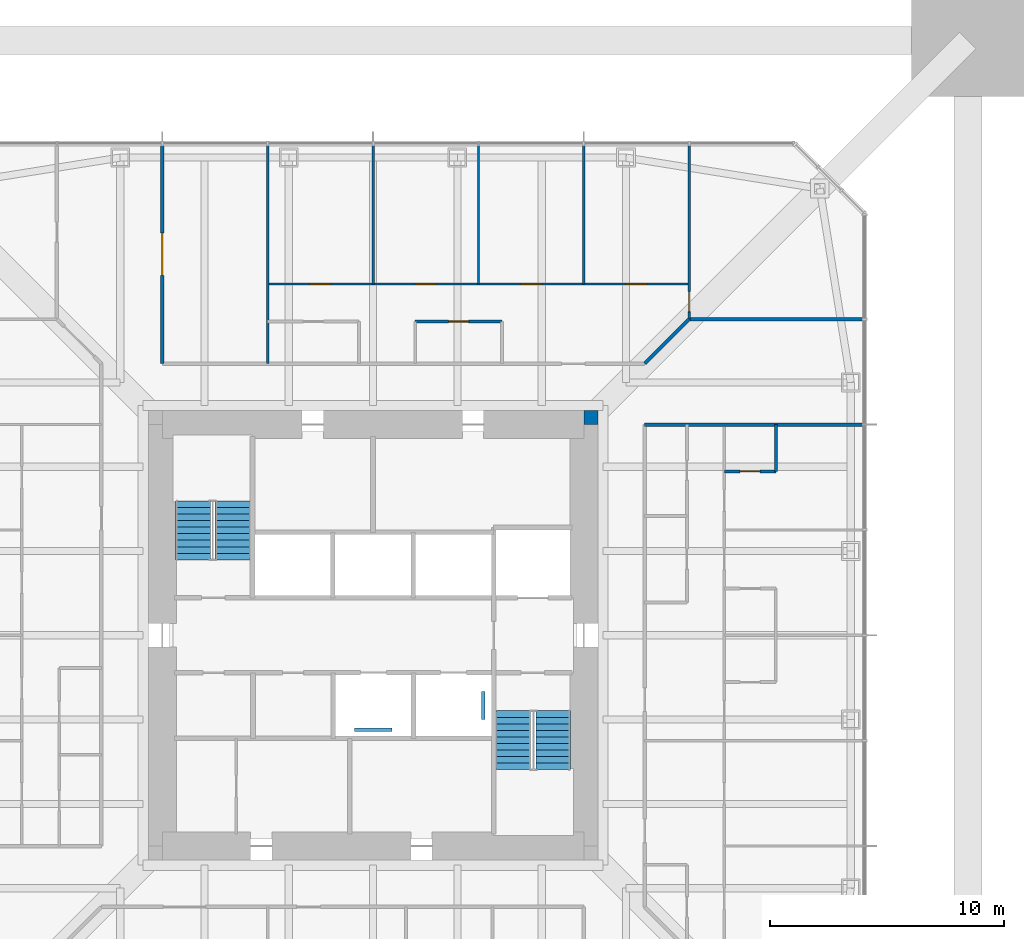
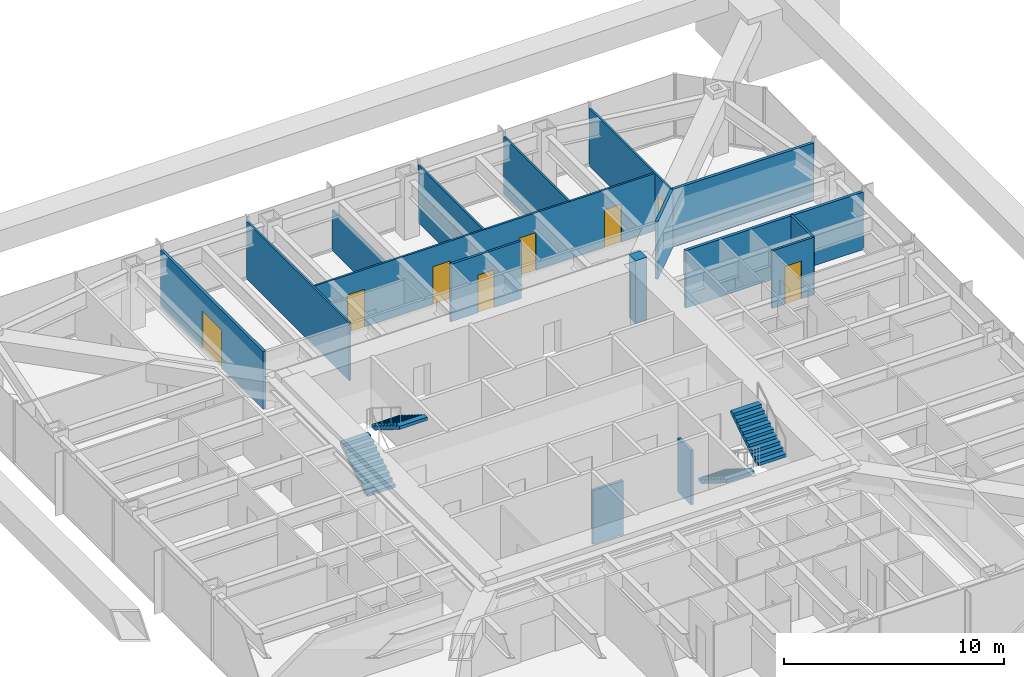
# One storey, part 16 of 20: 14 walls, 8 doors, 4 stair flights, 2 discrete accessories, 8 openings, 2 elements without a shape of their own.
"""IFC4 building model written with IfcOpenShell, lengths in metres."""

from ifc_helpers import new_model, si_unit, direction, frame, frame_2d, origin, origin_2d, place, context, subcontext, project, spatial, polyline, rectangle, outline, extrude, material, layer, layer_set, constituent, constituent_set, type_object, element, fill, aggregate, save


model = new_model("IFC4")

# Units and contexts
model_context = context("Model", 3, precision=1e-05, world=origin(), true_north=direction((0.0, 1.0)))
body_context = subcontext(model_context, "Body", "Model", "MODEL_VIEW")
ifc_project = project(units=[si_unit("LENGTHUNIT", "METRE"), si_unit("AREAUNIT", "SQUARE_METRE"), si_unit("VOLUMEUNIT", "CUBIC_METRE"), si_unit("PLANEANGLEUNIT", "RADIAN"), si_unit("MASSUNIT", "GRAM", prefix="KILO")], contexts=[model_context])

# Site, building, storey
site_placement = place(None, origin())
site = spatial("IfcSite", under=ifc_project, at=site_placement, CompositionType="ELEMENT")
building_placement = place(site_placement, origin())
building = spatial("IfcBuilding", under=site, at=building_placement, Name="Iwan Alto Co-Living Towers", CompositionType="ELEMENT")
storey_placement = place(building_placement, frame((0.0, 0.0, 140.0)))
storey = spatial("IfcBuildingStorey", under=building, at=storey_placement, Name="L38", CompositionType="ELEMENT", Elevation=140.0)

# Walls
ifc_material_1 = material(Name="Gypsum board")
ifc_layer_1 = layer(ifc_material_1, 0.02490234375, Name="Board", Category="Finish")
ifc_material_2 = material(Name="Steel ASTM A1003 ST33H cold-formed studs", Category="steel")
ifc_layer_2 = layer(ifc_material_2, 0.10009765625, Name="Studs", Category="Framing")
ifc_layer_3 = layer(ifc_material_1, 0.02490234375, Name="Board", Category="Finish")
ifc_layer_set_1 = layer_set([ifc_layer_1, ifc_layer_2, ifc_layer_3], Name="CORRIDOR WALL 150")
wall_type_1 = type_object("IfcWallType", Name="CORRIDOR WALL 150", PredefinedType="PARTITIONING", material=ifc_layer_set_1)
wall_1_placement = place(storey_placement, frame((11.60009765625, 9.0, 0.0), z_axis=(0.0, 0.0, 1.0), x_axis=(1.0, 0.0, 0.0)))
element("IfcWall", 1, at=wall_1_placement, inside=storey, type_object=wall_type_1, Name="Partition L38", PredefinedType="PARTITIONING", context=body_context, shape_type="SweptSolid", body=[
    extrude(rectangle(XDim=9.33984375, YDim=0.14990234375, at=frame_2d((4.669921875, 0.0))), origin(), (0.0, 0.0, 1.0), 3.199951171875),
])
wall_2_placement = place(storey_placement, frame((13.5, 13.5, 0.0), z_axis=(0.0, 0.0, 1.0), x_axis=(1.0, 0.0, 0.0)))
element("IfcWall", 2, at=wall_2_placement, inside=storey, type_object=wall_type_1, Name="Partition L38", PredefinedType="PARTITIONING", context=body_context, shape_type="SweptSolid", body=[
    extrude(rectangle(XDim=7.43994140625, YDim=0.14990234375, at=frame_2d((3.719970703125, 0.0))), origin(), (0.0, 0.0, 1.0), 3.199951171875),
])
wall_3_placement = place(storey_placement, frame((11.60009765625, 11.60009765625, 0.0), z_axis=(0.0, 0.0, 1.0), x_axis=(0.707106781187, 0.707106781187, 0.0)))
element("IfcWall", 3, at=wall_3_placement, inside=storey, type_object=wall_type_1, Name="Partition L38", PredefinedType="PARTITIONING", context=body_context, shape_type="SweptSolid", body=[
    extrude(rectangle(XDim=2.686767578125, YDim=0.14990234375, at=frame_2d((1.34326171875, 0.0))), origin(), (0.0, 0.0, 1.0), 3.199951171875),
])

# Wall, opening, door
wall_4_placement = place(storey_placement, frame((-9.0, 11.60009765625, 0.0), z_axis=(0.0, 0.0, 1.0), x_axis=(0.0, 1.0, 0.0)))
wall_4 = element("IfcWall", 4, at=wall_4_placement, inside=storey, type_object=wall_type_1, Name="Partition L38", PredefinedType="PARTITIONING", context=body_context, shape_type="SweptSolid", body=[
    extrude(rectangle(XDim=9.33984375, YDim=0.14990234375, at=frame_2d((4.669921875, 0.0))), origin(), (0.0, 0.0, 1.0), 3.199951171875),
])
opening_1_placement = place(wall_4_placement, frame((3.77001953125, 0.0, 0.0)))
opening_1 = element("IfcOpeningElement", 5, at=opening_1_placement, cuts=wall_4, Name="Opening D9", PredefinedType="OPENING", context=body_context, shape_type="SweptSolid", body=[
    extrude(rectangle(XDim=1.800048828125, YDim=2.10009765625, at=frame_2d((0.89990234375, 1.050048828125))), frame((0.0, 0.0849609375, 0.0), z_axis=(0.0, -1.0, 0.0), x_axis=(1.0, 0.0, 0.0)), (0.0, 0.0, 1.0), 0.169921875),
])
ifc_material_3 = material(Name="Steel frame with timber leaf", Category="steel")
door_type_1 = type_object("IfcDoorType", Name="LOUNGE DOOR FD30S 1800X2100", OperationType="DOUBLE_DOOR_SINGLE_SWING", PredefinedType="DOOR", material=ifc_material_3)
door_1_placement = place(opening_1_placement, frame((1.800048828125, 0.0, 0.0), z_axis=(0.0, 0.0, 1.0), x_axis=(-1.0, 0.0, 0.0)))
door_1 = element("IfcDoor", 6, at=door_1_placement, inside=storey, type_object=door_type_1, Name="Reading room door L38", OperationType="DOUBLE_DOOR_SINGLE_SWING", OverallHeight=2.10009765625, OverallWidth=1.800048828125, PredefinedType="DOOR", context=body_context, shape_type="SweptSolid", body=[
    extrude(rectangle(XDim=1.800048828125, YDim=2.10009765625, at=frame_2d((0.89990234375, 1.050048828125))), frame((0.0, 0.02490234375, 0.0), z_axis=(0.0, -1.0, 0.0), x_axis=(1.0, 0.0, 0.0)), (0.0, 0.0, 1.0), 0.050048828125),
])
fill(opening_1, door_1)

# Wall, openings, doors
ifc_layer_4 = layer(ifc_material_1, 0.012451171875, Name="Board", Category="Finish")
ifc_layer_5 = layer(ifc_material_2, 0.074951171875, Name="Studs", Category="Framing")
ifc_layer_6 = layer(ifc_material_1, 0.012451171875, Name="Board", Category="Finish")
ifc_layer_set_2 = layer_set([ifc_layer_4, ifc_layer_5, ifc_layer_6], Name="PARTITION 100")
wall_type_2 = type_object("IfcWallType", Name="PARTITION 100", PredefinedType="PARTITIONING", material=ifc_layer_set_2)
wall_5_placement = place(storey_placement, frame((-4.5, 15.0, 0.0), z_axis=(0.0, 0.0, 1.0), x_axis=(1.0, 0.0, 0.0)))
wall_5 = element("IfcWall", 7, at=wall_5_placement, inside=storey, type_object=wall_type_2, Name="Partition L38", PredefinedType="PARTITIONING", context=body_context, shape_type="SweptSolid", body=[
    extrude(rectangle(XDim=18.0, YDim=0.10009765625, at=frame_2d((9.0, 0.0))), origin(), (0.0, 0.0, 1.0), 3.199951171875),
])
opening_2_placement = place(wall_5_placement, frame((15.300048828125, 0.0, 0.0)))
opening_2 = element("IfcOpeningElement", 8, at=opening_2_placement, cuts=wall_5, Name="Opening D1", PredefinedType="OPENING", context=body_context, shape_type="SweptSolid", body=[
    extrude(rectangle(XDim=0.89990234375, YDim=2.10009765625, at=frame_2d((0.449951171875, 1.050048828125))), frame((0.0, 0.06005859375, 0.0), z_axis=(0.0, -1.0, 0.0), x_axis=(1.0, 0.0, 0.0)), (0.0, 0.0, 1.0), 0.1201171875),
])
opening_3_placement = place(wall_5_placement, frame((10.800048828125, 0.0, 0.0)))
opening_3 = element("IfcOpeningElement", 9, at=opening_3_placement, cuts=wall_5, Name="Opening D1", PredefinedType="OPENING", context=body_context, shape_type="SweptSolid", body=[
    extrude(rectangle(XDim=0.89990234375, YDim=2.10009765625, at=frame_2d((0.449951171875, 1.050048828125))), frame((0.0, 0.06005859375, 0.0), z_axis=(0.0, -1.0, 0.0), x_axis=(1.0, 0.0, 0.0)), (0.0, 0.0, 1.0), 0.1201171875),
])
opening_4_placement = place(wall_5_placement, frame((6.300048828125, 0.0, 0.0)))
opening_4 = element("IfcOpeningElement", 10, at=opening_4_placement, cuts=wall_5, Name="Opening D1", PredefinedType="OPENING", context=body_context, shape_type="SweptSolid", body=[
    extrude(rectangle(XDim=0.89990234375, YDim=2.10009765625, at=frame_2d((0.449951171875, 1.050048828125))), frame((0.0, 0.06005859375, 0.0), z_axis=(0.0, -1.0, 0.0), x_axis=(1.0, 0.0, 0.0)), (0.0, 0.0, 1.0), 0.1201171875),
])
opening_5_placement = place(wall_5_placement, frame((1.800048828125, 0.0, 0.0)))
opening_5 = element("IfcOpeningElement", 11, at=opening_5_placement, cuts=wall_5, Name="Opening D1", PredefinedType="OPENING", context=body_context, shape_type="SweptSolid", body=[
    extrude(rectangle(XDim=0.89990234375, YDim=2.10009765625, at=frame_2d((0.449951171875, 1.050048828125))), frame((0.0, 0.06005859375, 0.0), z_axis=(0.0, -1.0, 0.0), x_axis=(1.0, 0.0, 0.0)), (0.0, 0.0, 1.0), 0.1201171875),
])
ifc_material_4 = material(Name="Timber leaf in steel frame", Category="steel")
door_type_2 = type_object("IfcDoorType", Name="BEDROOM DOOR 900X2100", OperationType="SINGLE_SWING_LEFT", PredefinedType="DOOR", material=ifc_material_4)
door_2_placement = place(opening_2_placement, frame((0.89990234375, 0.0, 0.0), z_axis=(0.0, 0.0, 1.0), x_axis=(-1.0, 0.0, 0.0)))
door_2 = element("IfcDoor", 12, at=door_2_placement, inside=storey, type_object=door_type_2, Name="Study bedroom door L38", OperationType="SINGLE_SWING_LEFT", OverallHeight=2.10009765625, OverallWidth=0.89990234375, PredefinedType="DOOR", context=body_context, shape_type="SweptSolid", body=[
    extrude(rectangle(XDim=0.89990234375, YDim=2.10009765625, at=frame_2d((0.449951171875, 1.050048828125))), frame((0.0, 0.02490234375, 0.0), z_axis=(0.0, -1.0, 0.0), x_axis=(1.0, 0.0, 0.0)), (0.0, 0.0, 1.0), 0.050048828125),
])
fill(opening_2, door_2)
door_3_placement = place(opening_3_placement, frame((0.89990234375, 0.0, 0.0), z_axis=(0.0, 0.0, 1.0), x_axis=(-1.0, 0.0, 0.0)))
door_3 = element("IfcDoor", 13, at=door_3_placement, inside=storey, type_object=door_type_2, Name="Study bedroom door L38", OperationType="SINGLE_SWING_LEFT", OverallHeight=2.10009765625, OverallWidth=0.89990234375, PredefinedType="DOOR", context=body_context, shape_type="SweptSolid", body=[
    extrude(rectangle(XDim=0.89990234375, YDim=2.10009765625, at=frame_2d((0.449951171875, 1.050048828125))), frame((0.0, 0.02490234375, 0.0), z_axis=(0.0, -1.0, 0.0), x_axis=(1.0, 0.0, 0.0)), (0.0, 0.0, 1.0), 0.050048828125),
])
fill(opening_3, door_3)
door_4_placement = place(opening_4_placement, frame((0.89990234375, 0.0, 0.0), z_axis=(0.0, 0.0, 1.0), x_axis=(-1.0, 0.0, 0.0)))
door_4 = element("IfcDoor", 14, at=door_4_placement, inside=storey, type_object=door_type_2, Name="Study bedroom door L38", OperationType="SINGLE_SWING_RIGHT", OverallHeight=2.10009765625, OverallWidth=0.89990234375, PredefinedType="DOOR", context=body_context, shape_type="SweptSolid", body=[
    extrude(rectangle(XDim=0.89990234375, YDim=2.10009765625, at=frame_2d((0.449951171875, 1.050048828125))), frame((0.0, 0.02490234375, 0.0), z_axis=(0.0, -1.0, 0.0), x_axis=(1.0, 0.0, 0.0)), (0.0, 0.0, 1.0), 0.050048828125),
])
fill(opening_4, door_4)
door_5_placement = place(opening_5_placement, frame((0.89990234375, 0.0, 0.0), z_axis=(0.0, 0.0, 1.0), x_axis=(-1.0, 0.0, 0.0)))
door_5 = element("IfcDoor", 15, at=door_5_placement, inside=storey, type_object=door_type_2, Name="Study bedroom door L38", OperationType="SINGLE_SWING_RIGHT", OverallHeight=2.10009765625, OverallWidth=0.89990234375, PredefinedType="DOOR", context=body_context, shape_type="SweptSolid", body=[
    extrude(rectangle(XDim=0.89990234375, YDim=2.10009765625, at=frame_2d((0.449951171875, 1.050048828125))), frame((0.0, 0.02490234375, 0.0), z_axis=(0.0, -1.0, 0.0), x_axis=(1.0, 0.0, 0.0)), (0.0, 0.0, 1.0), 0.050048828125),
])
fill(opening_5, door_5)

# Wall, opening, door
wall_6_placement = place(storey_placement, frame((13.5, 13.5, 0.0), z_axis=(0.0, 0.0, 1.0), x_axis=(0.0, 1.0, 0.0)))
wall_6 = element("IfcWall", 16, at=wall_6_placement, inside=storey, type_object=wall_type_2, Name="Partition L38", PredefinedType="PARTITIONING", context=body_context, shape_type="SweptSolid", body=[
    extrude(rectangle(XDim=7.43994140625, YDim=0.10009765625, at=frame_2d((3.719970703125, 0.0))), origin(), (0.0, 0.0, 1.0), 3.199951171875),
])
opening_6_placement = place(wall_6_placement, frame((0.324951171875, 0.0, 0.0)))
opening_6 = element("IfcOpeningElement", 17, at=opening_6_placement, cuts=wall_6, Name="Opening D2", PredefinedType="OPENING", context=body_context, shape_type="SweptSolid", body=[
    extrude(rectangle(XDim=0.85009765625, YDim=2.10009765625, at=frame_2d((0.425048828125, 1.050048828125))), frame((0.0, 0.06005859375, 0.0), z_axis=(0.0, -1.0, 0.0), x_axis=(1.0, 0.0, 0.0)), (0.0, 0.0, 1.0), 0.1201171875),
])
ifc_material_5 = material(Name="Timber leaf in steel frame", Category="steel")
door_type_3 = type_object("IfcDoorType", Name="ROOM DOOR 850X2100", OperationType="SINGLE_SWING_LEFT", PredefinedType="DOOR", material=ifc_material_5)
door_6_placement = place(opening_6_placement, frame((0.85009765625, 0.0, 0.0), z_axis=(0.0, 0.0, 1.0), x_axis=(-1.0, 0.0, 0.0)))
door_6 = element("IfcDoor", 18, at=door_6_placement, inside=storey, type_object=door_type_3, Name="Shared kitchen and lounge door L38", OperationType="SINGLE_SWING_RIGHT", OverallHeight=2.10009765625, OverallWidth=0.85009765625, PredefinedType="DOOR", context=body_context, shape_type="SweptSolid", body=[
    extrude(rectangle(XDim=0.85009765625, YDim=2.10009765625, at=frame_2d((0.425048828125, 1.050048828125))), frame((0.0, 0.02490234375, 0.0), z_axis=(0.0, -1.0, 0.0), x_axis=(1.0, 0.0, 0.0)), (0.0, 0.0, 1.0), 0.050048828125),
])
fill(opening_6, door_6)

# Walls
for number, where, z_axis, x_axis, name in (
    (19, (9.0, 15.0, 0.0), (0.0, 0.0, 1.0), (0.0, 1.0, 0.0), "Partition L38"),
    (20, (4.5, 15.0, 0.0), (0.0, 0.0, 1.0), (0.0, 1.0, 0.0), "Partition L38"),
):
    element("IfcWall", number, at=place(storey_placement, frame(where, z_axis=z_axis, x_axis=x_axis)), inside=storey, type_object=wall_type_2, Name=name, PredefinedType="PARTITIONING", context=body_context, shape_type="SweptSolid", body=[
        extrude(rectangle(XDim=5.93994140625, YDim=0.10009765625, at=frame_2d((2.969970703125, 0.0))), origin(), (0.0, 0.0, 1.0), 3.199951171875),
    ])
wall_7_placement = place(storey_placement, frame((0.0, 15.0, 0.0), z_axis=(0.0, 0.0, 1.0), x_axis=(0.0, 1.0, 0.0)))
element("IfcWall", 21, at=wall_7_placement, inside=storey, type_object=wall_type_2, Name="Partition L38", PredefinedType="PARTITIONING", context=body_context, shape_type="SweptSolid", body=[
    extrude(rectangle(XDim=5.93994140625, YDim=0.10009765625, at=frame_2d((2.969970703125, 0.0))), origin(), (0.0, 0.0, 1.0), 2.27294921875),
])
wall_8_placement = place(storey_placement, frame((-4.5, 11.60009765625, 0.0), z_axis=(0.0, 0.0, 1.0), x_axis=(0.0, 1.0, 0.0)))
element("IfcWall", 22, at=wall_8_placement, inside=storey, type_object=wall_type_2, Name="Partition L38", PredefinedType="PARTITIONING", context=body_context, shape_type="SweptSolid", body=[
    extrude(rectangle(XDim=9.33984375, YDim=0.10009765625, at=frame_2d((4.669921875, 0.0))), origin(), (0.0, 0.0, 1.0), 3.199951171875),
])
ifc_material_6 = material(Name="Concrete f'c 70 MPa", Category="concrete")
ifc_layer_7 = layer(ifc_material_6, 0.60009765625)
ifc_layer_set_3 = layer_set([ifc_layer_7], Name="T1 CORE CORNER FILL 600")
wall_type_3 = type_object("IfcWallType", Name="T1 CORE CORNER FILL 600", PredefinedType="SOLIDWALL", material=ifc_layer_set_3)
wall_9_placement = place(storey_placement, frame((9.0, 9.300048828125, 0.0), z_axis=(0.0, 0.0, 1.0), x_axis=(1.0, 0.0, 0.0)))
element("IfcWall", 23, at=wall_9_placement, inside=storey, type_object=wall_type_3, Name="T1 core corner NE L38", PredefinedType="SOLIDWALL", context=body_context, shape_type="SweptSolid", body=[
    extrude(rectangle(XDim=0.60009765625, YDim=0.60009765625, at=frame_2d((0.300048828125, 0.0))), origin(), (0.0, 0.0, 1.0), 3.5),
])

# Wall, opening, door
ifc_material_7 = material(Name="Cement board")
ifc_layer_8 = layer(ifc_material_7, 0.012451171875, Name="Board", Category="Finish")
ifc_layer_9 = layer(ifc_material_2, 0.094970703125, Name="Studs", Category="Framing")
ifc_layer_10 = layer(ifc_material_7, 0.012451171875, Name="Board", Category="Finish")
ifc_layer_set_4 = layer_set([ifc_layer_8, ifc_layer_9, ifc_layer_10], Name="WET AREA PARTITION 120")
wall_type_4 = type_object("IfcWallType", Name="WET AREA PARTITION 120", PredefinedType="PARTITIONING", material=ifc_layer_set_4)
wall_10_placement = place(storey_placement, frame((15.0, 7.0, 0.0), z_axis=(0.0, 0.0, 1.0), x_axis=(1.0, 0.0, 0.0)))
wall_10 = element("IfcWall", 24, at=wall_10_placement, inside=storey, type_object=wall_type_4, Name="Partition L38", PredefinedType="PARTITIONING", context=body_context, shape_type="SweptSolid", body=[
    extrude(rectangle(XDim=2.199951171875, YDim=0.1201171875, at=frame_2d((1.10009765625, 0.0))), origin(), (0.0, 0.0, 1.0), 3.199951171875),
])
opening_7_placement = place(wall_10_placement, frame((0.675048828125, 0.0, 0.0)))
opening_7 = element("IfcOpeningElement", 25, at=opening_7_placement, cuts=wall_10, Name="Opening D2", PredefinedType="OPENING", context=body_context, shape_type="SweptSolid", body=[
    extrude(rectangle(XDim=0.85009765625, YDim=2.10009765625, at=frame_2d((0.425048828125, 1.050048828125))), frame((0.0, 0.070068359375, 0.0), z_axis=(0.0, -1.0, 0.0), x_axis=(1.0, 0.0, 0.0)), (0.0, 0.0, 1.0), 0.14013671875),
])
door_7_placement = place(opening_7_placement, frame((0.85009765625, 0.0, 0.0), z_axis=(0.0, 0.0, 1.0), x_axis=(-1.0, 0.0, 0.0)))
door_7 = element("IfcDoor", 26, at=door_7_placement, inside=storey, type_object=door_type_3, Name="En-suite shower room door L38", OperationType="SINGLE_SWING_RIGHT", OverallHeight=2.10009765625, OverallWidth=0.85009765625, PredefinedType="DOOR", context=body_context, shape_type="SweptSolid", body=[
    extrude(rectangle(XDim=0.85009765625, YDim=2.10009765625, at=frame_2d((0.425048828125, 1.050048828125))), frame((0.0, 0.02490234375, 0.0), z_axis=(0.0, -1.0, 0.0), x_axis=(1.0, 0.0, 0.0)), (0.0, 0.0, 1.0), 0.050048828125),
])
fill(opening_7, door_7)

wall_11_placement = place(storey_placement, frame((1.800048828125, 13.39990234375, 0.0), z_axis=(0.0, 0.0, 1.0), x_axis=(1.0, 0.0, 0.0)))
wall_11 = element("IfcWall", 27, at=wall_11_placement, inside=storey, type_object=wall_type_4, Name="Partition L38", PredefinedType="PARTITIONING", context=body_context, shape_type="SweptSolid", body=[
    extrude(rectangle(XDim=3.699951171875, YDim=0.1201171875, at=frame_2d((1.85009765625, 0.0))), origin(), (0.0, 0.0, 1.0), 3.199951171875),
])
opening_8_placement = place(wall_11_placement, frame((1.425048828125, 0.0, 0.0)))
opening_8 = element("IfcOpeningElement", 28, at=opening_8_placement, cuts=wall_11, Name="Opening D2", PredefinedType="OPENING", context=body_context, shape_type="SweptSolid", body=[
    extrude(rectangle(XDim=0.85009765625, YDim=2.10009765625, at=frame_2d((0.425048828125, 1.050048828125))), frame((0.0, 0.070068359375, 0.0), z_axis=(0.0, -1.0, 0.0), x_axis=(1.0, 0.0, 0.0)), (0.0, 0.0, 1.0), 0.14013671875),
])
door_8_placement = place(opening_8_placement, origin())
door_8 = element("IfcDoor", 29, at=door_8_placement, inside=storey, type_object=door_type_3, Name="Accessible bathroom door L38", OperationType="SINGLE_SWING_LEFT", OverallHeight=2.10009765625, OverallWidth=0.85009765625, PredefinedType="DOOR", context=body_context, shape_type="SweptSolid", body=[
    extrude(rectangle(XDim=0.85009765625, YDim=2.10009765625, at=frame_2d((0.425048828125, 1.050048828125))), frame((0.0, 0.02490234375, 0.0), z_axis=(0.0, -1.0, 0.0), x_axis=(1.0, 0.0, 0.0)), (0.0, 0.0, 1.0), 0.050048828125),
])
fill(opening_8, door_8)

# Wall
wall_12_placement = place(storey_placement, frame((17.199951171875, 7.0, 0.0), z_axis=(0.0, 0.0, 1.0), x_axis=(0.0, 1.0, 0.0)))
element("IfcWall", 30, at=wall_12_placement, inside=storey, type_object=wall_type_4, Name="Partition L38", PredefinedType="PARTITIONING", context=body_context, shape_type="SweptSolid", body=[
    extrude(rectangle(XDim=2.0, YDim=0.1201171875, at=frame_2d((1.0, 0.0))), origin(), (0.0, 0.0, 1.0), 3.199951171875),
])

# Stair, stair flights
ifc_material_8 = material(Name="Steel ASTM A36", Category="steel")
ifc_constituent_1 = constituent(ifc_material_8, Name="Stringers", Category="LoadBearing")
ifc_material_9 = material(Name="Concrete f'c 30 MPa", Category="concrete")
ifc_constituent_2 = constituent(ifc_material_9, Name="Tread fill", Category="Finish")
ifc_constituent_set_1 = constituent_set(constituents=[ifc_constituent_1, ifc_constituent_2], Name="STAIR 3500 TWO-FLIGHT T1 CORE")
stair_type = type_object("IfcStairType", Name="STAIR 3500 TWO-FLIGHT T1 CORE", PredefinedType="HALF_TURN_STAIR", material=ifc_constituent_set_1)
stair_1_placement = place(storey_placement, origin())
stair_1 = element("IfcStair", 31, at=stair_1_placement, inside=storey, type_object=stair_type, Name="Stair T1-S1 L38 to L39", PredefinedType="HALF_TURN_STAIR")
ifc_constituent_3 = constituent(ifc_material_8, Name="Stringers", Category="LoadBearing")
ifc_constituent_4 = constituent(ifc_material_9, Name="Tread fill", Category="Finish")
ifc_constituent_set_2 = constituent_set(constituents=[ifc_constituent_3, ifc_constituent_4], Name="STAIR FLIGHT 10 RISERS 280 GOING")
stair_flight_type = type_object("IfcStairFlightType", Name="STAIR FLIGHT 10 RISERS 280 GOING", PredefinedType="STRAIGHT", material=ifc_constituent_set_2)
stair_flight_1_placement = place(storey_placement, frame((-7.68994140625, 3.219970703125, 0.0), z_axis=(0.0, 0.0, 1.0), x_axis=(0.0, 1.0, 0.0)))
stair_flight_1 = element("IfcStairFlight", 32, at=stair_flight_1_placement, type_object=stair_flight_type, Name="T1-S1 flight 1", NumberOfRisers=10, NumberOfTreads=9, PredefinedType="STRAIGHT", RiserHeight=0.175, TreadLength=0.28, context=body_context, shape_type="SweptSolid", body=[
    extrude(outline(polyline([(0.0, 0.0), (0.0, 0.175048828125), (0.280029296875, 0.175048828125), (0.280029296875, 0.35009765625), (0.56005859375, 0.35009765625), (0.56005859375, 0.52490234375), (0.840087890625, 0.52490234375), (0.840087890625, 0.699951171875), (1.1201171875, 0.699951171875), (1.1201171875, 0.875), (1.39990234375, 0.875), (1.39990234375, 1.050048828125), (1.679931640625, 1.050048828125), (1.679931640625, 1.22509765625), (1.9599609375, 1.22509765625), (1.9599609375, 1.39990234375), (2.239990234375, 1.39990234375), (2.239990234375, 1.574951171875), (2.52001953125, 1.574951171875), (2.52001953125, 1.75), (2.52001953125, 1.398193359375), (0.28271484375, 0.0), (0.0, 0.0)])), frame((0.0, 0.739990234375, 0.0), z_axis=(0.0, -1.0, 0.0), x_axis=(1.0, 0.0, 0.0)), (0.0, 0.0, 1.0), 1.47998046875),
])
stair_flight_2_placement = place(storey_placement, frame((-6.010009765625, 5.739990234375, 1.75), z_axis=(0.0, 0.0, 1.0), x_axis=(0.0, -1.0, 0.0)))
stair_flight_2 = element("IfcStairFlight", 33, at=stair_flight_2_placement, type_object=stair_flight_type, Name="T1-S1 flight 2", NumberOfRisers=10, NumberOfTreads=9, PredefinedType="STRAIGHT", RiserHeight=0.175, TreadLength=0.28, context=body_context, shape_type="SweptSolid", body=[
    extrude(outline(polyline([(0.0, 0.0), (0.0, 0.175048828125), (0.280029296875, 0.175048828125), (0.280029296875, 0.35009765625), (0.56005859375, 0.35009765625), (0.56005859375, 0.52490234375), (0.840087890625, 0.52490234375), (0.840087890625, 0.699951171875), (1.1201171875, 0.699951171875), (1.1201171875, 0.875), (1.39990234375, 0.875), (1.39990234375, 1.050048828125), (1.679931640625, 1.050048828125), (1.679931640625, 1.22509765625), (1.9599609375, 1.22509765625), (1.9599609375, 1.39990234375), (2.239990234375, 1.39990234375), (2.239990234375, 1.574951171875), (2.52001953125, 1.574951171875), (2.52001953125, 1.75), (2.52001953125, 1.398193359375), (0.28271484375, 0.0), (0.0, 0.0)])), frame((0.0, 0.739990234375, 0.0), z_axis=(0.0, -1.0, 0.0), x_axis=(1.0, 0.0, 0.0)), (0.0, 0.0, 1.0), 1.47998046875),
])
aggregate(stair_1, [stair_flight_1, stair_flight_2])

stair_2_placement = place(storey_placement, origin())
stair_2 = element("IfcStair", 34, at=stair_2_placement, inside=storey, type_object=stair_type, Name="Stair T1-S2 L38 to L39", PredefinedType="HALF_TURN_STAIR")
stair_flight_3_placement = place(storey_placement, frame((6.010009765625, -3.219970703125, 0.0), z_axis=(0.0, 0.0, 1.0), x_axis=(0.0, -1.0, 0.0)))
stair_flight_3 = element("IfcStairFlight", 35, at=stair_flight_3_placement, type_object=stair_flight_type, Name="T1-S2 flight 1", NumberOfRisers=10, NumberOfTreads=9, PredefinedType="STRAIGHT", RiserHeight=0.175, TreadLength=0.28, context=body_context, shape_type="SweptSolid", body=[
    extrude(outline(polyline([(0.0, 0.0), (0.0, 0.175048828125), (0.280029296875, 0.175048828125), (0.280029296875, 0.35009765625), (0.56005859375, 0.35009765625), (0.56005859375, 0.52490234375), (0.840087890625, 0.52490234375), (0.840087890625, 0.699951171875), (1.1201171875, 0.699951171875), (1.1201171875, 0.875), (1.39990234375, 0.875), (1.39990234375, 1.050048828125), (1.679931640625, 1.050048828125), (1.679931640625, 1.22509765625), (1.9599609375, 1.22509765625), (1.9599609375, 1.39990234375), (2.239990234375, 1.39990234375), (2.239990234375, 1.574951171875), (2.52001953125, 1.574951171875), (2.52001953125, 1.75), (2.52001953125, 1.398193359375), (0.28271484375, 0.0), (0.0, 0.0)])), frame((0.0, 0.739990234375, 0.0), z_axis=(0.0, -1.0, 0.0), x_axis=(1.0, 0.0, 0.0)), (0.0, 0.0, 1.0), 1.47998046875),
])
stair_flight_4_placement = place(storey_placement, frame((7.68994140625, -5.739990234375, 1.75), z_axis=(0.0, 0.0, 1.0), x_axis=(0.0, 1.0, 0.0)))
stair_flight_4 = element("IfcStairFlight", 36, at=stair_flight_4_placement, type_object=stair_flight_type, Name="T1-S2 flight 2", NumberOfRisers=10, NumberOfTreads=9, PredefinedType="STRAIGHT", RiserHeight=0.175, TreadLength=0.28, context=body_context, shape_type="SweptSolid", body=[
    extrude(outline(polyline([(0.0, 0.0), (0.0, 0.175048828125), (0.280029296875, 0.175048828125), (0.280029296875, 0.35009765625), (0.56005859375, 0.35009765625), (0.56005859375, 0.52490234375), (0.840087890625, 0.52490234375), (0.840087890625, 0.699951171875), (1.1201171875, 0.699951171875), (1.1201171875, 0.875), (1.39990234375, 0.875), (1.39990234375, 1.050048828125), (1.679931640625, 1.050048828125), (1.679931640625, 1.22509765625), (1.9599609375, 1.22509765625), (1.9599609375, 1.39990234375), (2.239990234375, 1.39990234375), (2.239990234375, 1.574951171875), (2.52001953125, 1.574951171875), (2.52001953125, 1.75), (2.52001953125, 1.398193359375), (0.28271484375, 0.0), (0.0, 0.0)])), frame((0.0, 0.739990234375, 0.0), z_axis=(0.0, -1.0, 0.0), x_axis=(1.0, 0.0, 0.0)), (0.0, 0.0, 1.0), 1.47998046875),
])
aggregate(stair_2, [stair_flight_3, stair_flight_4])

# Discrete accessories
placement_1 = place(building_placement, origin())
placement_2 = place(placement_1, frame((0.012451171875, -3.0, 0.0), z_axis=(0.0, 0.0, 1.0), x_axis=(1.0, 0.0, 0.0)))
discrete_accessory_1_placement = place(placement_2, origin())
element("IfcDiscreteAccessory", 37, at=discrete_accessory_1_placement, inside=storey, material=ifc_material_8, Name="Lift P2-3 counterweight", ObjectType="Lift counterweight", PredefinedType="USERDEFINED", context=body_context, shape_type="SweptSolid", body=[
    extrude(rectangle(XDim=1.6, YDim=0.15, at=origin_2d()), frame((0.0, -1.02490234375, 139.10009765625)), (0.0, 0.0, 1.0), 3.0),
])
placement_3 = place(placement_1, frame((3.4375, -3.0, 0.0), z_axis=(0.0, 0.0, 1.0), x_axis=(1.0, 0.0, 0.0)))
discrete_accessory_2_placement = place(placement_3, origin())
element("IfcDiscreteAccessory", 38, at=discrete_accessory_2_placement, inside=storey, material=ifc_material_8, Name="Lift P2-4 counterweight", ObjectType="Lift counterweight", PredefinedType="USERDEFINED", context=body_context, shape_type="SweptSolid", body=[
    extrude(rectangle(XDim=0.15, YDim=1.2000000000000002, at=origin_2d()), frame((1.27490234375, 0.0, 139.10009765625)), (0.0, 0.0, 1.0), 3.0),
])

save(model, "model.ifc")
